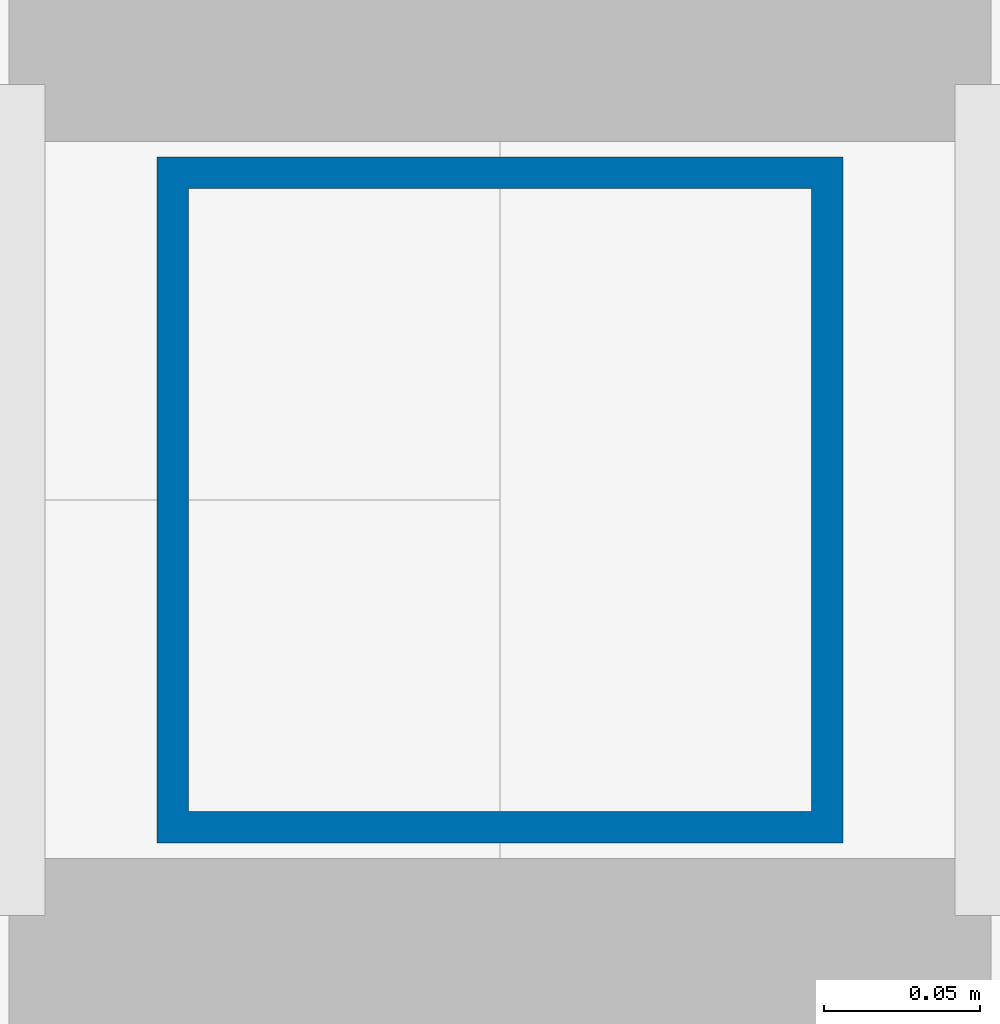
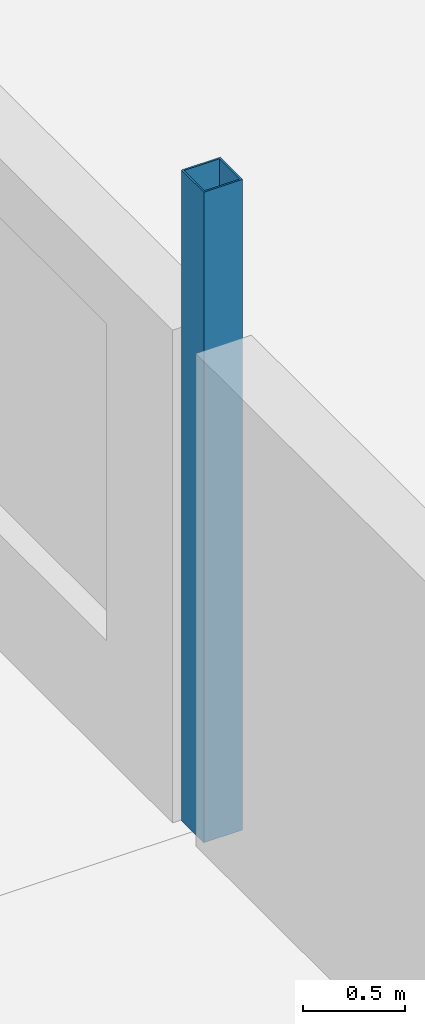
# One storey, part 5 of 55: 1 column.
"""IFC4 building model written with IfcOpenShell, lengths in metres."""

from ifc_helpers import new_model, si_unit, direction, frame, origin, origin_2d, place, context, subcontext, project, spatial, hollow_rectangle, extrude, material, material_profile, profile_set, type_object, element, save


model = new_model("IFC4")

# Units and contexts
model_context = context("Model", 3, precision=1e-05, world=origin(), true_north=direction((0.0, 1.0)))
body_context = subcontext(model_context, "Body", "Model", "MODEL_VIEW")
ifc_project = project(units=[si_unit("LENGTHUNIT", "METRE"), si_unit("AREAUNIT", "SQUARE_METRE"), si_unit("VOLUMEUNIT", "CUBIC_METRE"), si_unit("PLANEANGLEUNIT", "RADIAN"), si_unit("MASSUNIT", "GRAM", prefix="KILO")], contexts=[model_context])

# Site, building, storey
site_placement = place(None, origin())
site = spatial("IfcSite", under=ifc_project, at=site_placement, CompositionType="ELEMENT")
building_placement = place(site_placement, origin())
building = spatial("IfcBuilding", under=site, at=building_placement, Name="Kisiwana Market Hall", CompositionType="ELEMENT")
storey_placement = place(building_placement, frame((0.0, 0.0, 37.800048828125)))
storey = spatial("IfcBuildingStorey", under=building, at=storey_placement, Name="L08", CompositionType="ELEMENT", Elevation=37.800048828125)

# Column
ifc_material = material(Name="Steel S355", Category="steel")
ifc_material_profile = material_profile(ifc_material, hollow_rectangle(XDim=0.219970703125, YDim=0.219970703125, WallThickness=0.010009765625, at=origin_2d()), Name="SHS 220x220x10")
ifc_profile_set = profile_set([ifc_material_profile], Name="Steel S355")
column_type = type_object("IfcColumnType", Name="COL-STL-SHS220", PredefinedType="COLUMN", material=ifc_profile_set)
column_placement = place(storey_placement, frame((36.0, 60.0, 0.0), z_axis=(0.0, 0.0, 1.0), x_axis=(1.0, 0.0, 0.0)))
element("IfcColumn", 1, at=column_placement, inside=storey, type_object=column_type, Name="Column H/5 (L08) C-1151", PredefinedType="COLUMN", context=body_context, shape_type="SweptSolid", body=[
    extrude(hollow_rectangle(XDim=0.219970703125, YDim=0.219970703125, WallThickness=0.010009765625, at=origin_2d()), origin(), (0.0, 0.0, 1.0), 3.89990234375),
])

save(model, "model.ifc")
